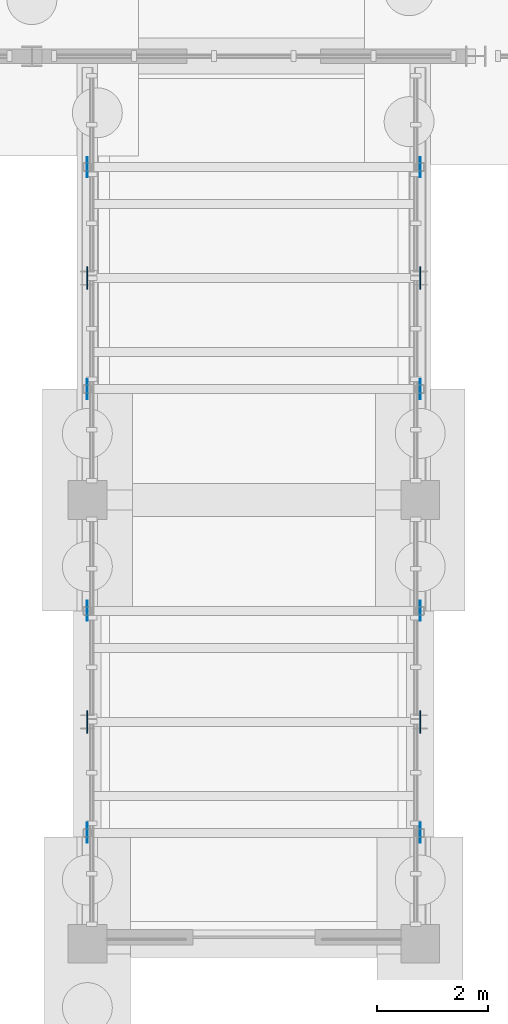
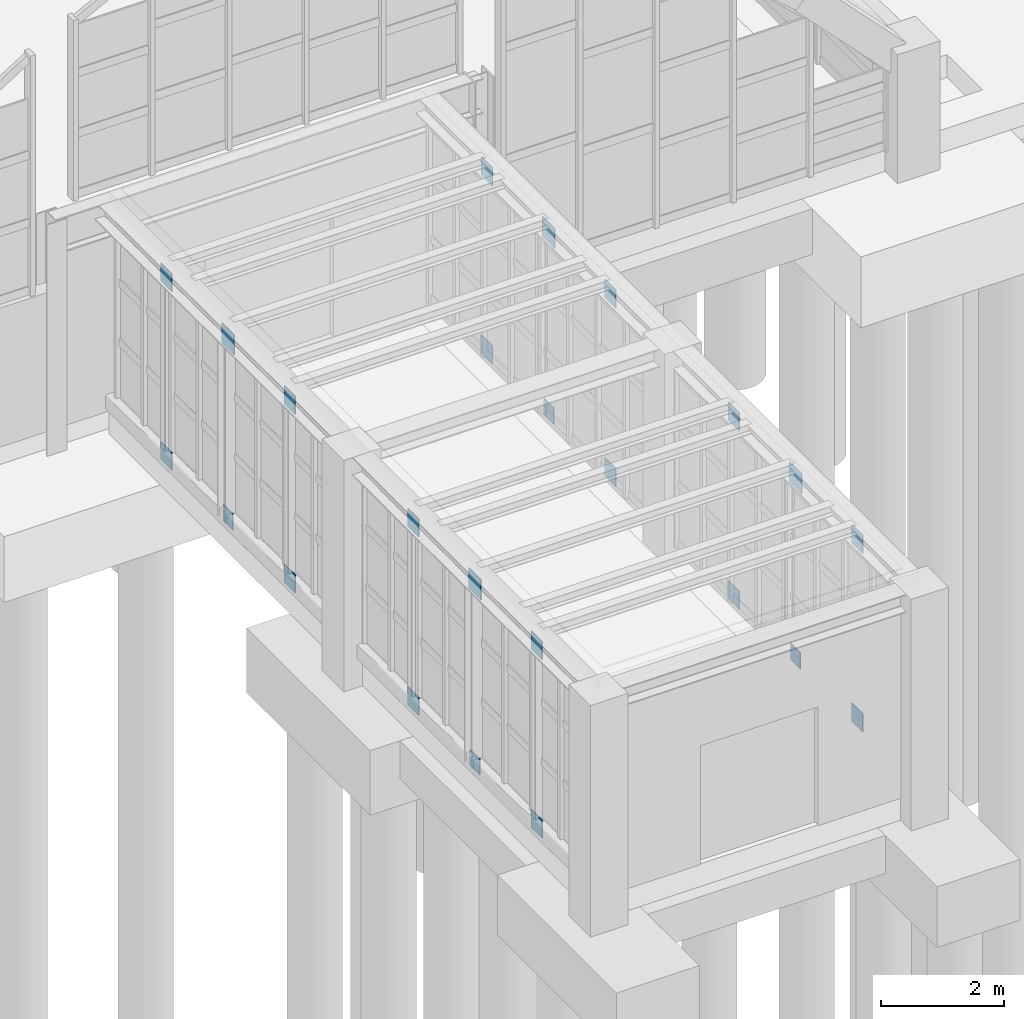
# One storey, part 93 of 129: 24 plates.
"""IFC4 building model written with IfcOpenShell, lengths in metres."""

from ifc_helpers import new_model, si_unit, direction, frame, origin, origin_2d, place, context, subcontext, project, spatial, rectangle, extrude, material, layer, layer_set, type_object, element, save


model = new_model("IFC4")

# Units and contexts
model_context = context("Model", 3, precision=1e-05, world=origin(), true_north=direction((0.0, 1.0)))
body_context = subcontext(model_context, "Body", "Model", "MODEL_VIEW")
ifc_project = project(units=[si_unit("LENGTHUNIT", "METRE"), si_unit("AREAUNIT", "SQUARE_METRE"), si_unit("VOLUMEUNIT", "CUBIC_METRE"), si_unit("PLANEANGLEUNIT", "RADIAN"), si_unit("MASSUNIT", "GRAM", prefix="KILO")], contexts=[model_context])

# Site, building, storey
site_placement = place(None, origin())
site = spatial("IfcSite", under=ifc_project, at=site_placement, CompositionType="ELEMENT")
building_placement = place(site_placement, origin())
building = spatial("IfcBuilding", under=site, at=building_placement, Name="Sitalva Quay Ferry Terminal", CompositionType="ELEMENT")
storey_placement = place(building_placement, origin())
storey = spatial("IfcBuildingStorey", under=building, at=storey_placement, Name="L01", CompositionType="ELEMENT", Elevation=0.0)

# Plates
ifc_material_1 = material(Name="Structural Steel S355JR", Category="steel")
ifc_layer_1 = layer(ifc_material_1, 0.01611328125)
ifc_layer_set_1 = layer_set([ifc_layer_1], Name="Structural Steel S355JR")
plate_type_1 = type_object("IfcPlateType", Name="Gusset_360x360x16", PredefinedType="USERDEFINED", material=ifc_layer_set_1)
for number, where, z_axis, x_axis, name in (
    (1, (17.0, -8.0, 0.06982421875), (0.0, 0.0, 1.0), (1.0, 0.0, 0.0), "Boarding bridge BB1 Vierendeel gusset W1A-BOT"),
    (2, (17.0, -8.0, 3.60009765625), (0.0, 0.0, 1.0), (1.0, 0.0, 0.0), "Boarding bridge BB1 Vierendeel gusset W1A-TOP"),
    (3, (17.0, -4.0, 0.06982421875), (0.0, 0.0, 1.0), (1.0, 0.0, 0.0), "Boarding bridge BB1 Vierendeel gusset W1B-BOT"),
    (4, (17.0, -4.0, 3.60009765625), (0.0, 0.0, 1.0), (1.0, 0.0, 0.0), "Boarding bridge BB1 Vierendeel gusset W1B-TOP"),
    (5, (17.0, 0.0, 0.06982421875), (0.0, 0.0, 1.0), (1.0, 0.0, 0.0), "Boarding bridge BB1 Vierendeel gusset W2A-BOT"),
    (6, (17.0, 0.0, 3.60009765625), (0.0, 0.0, 1.0), (1.0, 0.0, 0.0), "Boarding bridge BB1 Vierendeel gusset W2A-TOP"),
    (7, (17.0, 4.0, 0.06982421875), (0.0, 0.0, 1.0), (1.0, 0.0, 0.0), "Boarding bridge BB1 Vierendeel gusset W2B-BOT"),
    (8, (17.0, 4.0, 3.60009765625), (0.0, 0.0, 1.0), (1.0, 0.0, 0.0), "Boarding bridge BB1 Vierendeel gusset W2B-TOP"),
    (9, (23.0, -8.0, 0.06982421875), (0.0, 0.0, 1.0), (1.0, 0.0, 0.0), "Boarding bridge BB1 Vierendeel gusset E1A-BOT"),
    (10, (23.0, -8.0, 3.60009765625), (0.0, 0.0, 1.0), (1.0, 0.0, 0.0), "Boarding bridge BB1 Vierendeel gusset E1A-TOP"),
    (11, (23.0, -4.0, 0.06982421875), (0.0, 0.0, 1.0), (1.0, 0.0, 0.0), "Boarding bridge BB1 Vierendeel gusset E1B-BOT"),
    (12, (23.0, -4.0, 3.60009765625), (0.0, 0.0, 1.0), (1.0, 0.0, 0.0), "Boarding bridge BB1 Vierendeel gusset E1B-TOP"),
    (13, (23.0, 0.0, 0.06982421875), (0.0, 0.0, 1.0), (1.0, 0.0, 0.0), "Boarding bridge BB1 Vierendeel gusset E2A-BOT"),
    (14, (23.0, 0.0, 3.60009765625), (0.0, 0.0, 1.0), (1.0, 0.0, 0.0), "Boarding bridge BB1 Vierendeel gusset E2A-TOP"),
    (15, (23.0, 4.0, 0.06982421875), (0.0, 0.0, 1.0), (1.0, 0.0, 0.0), "Boarding bridge BB1 Vierendeel gusset E2B-BOT"),
    (16, (23.0, 4.0, 3.60009765625), (0.0, 0.0, 1.0), (1.0, 0.0, 0.0), "Boarding bridge BB1 Vierendeel gusset E2B-TOP"),
):
    element("IfcPlate", number, at=place(storey_placement, frame(where, z_axis=z_axis, x_axis=x_axis)), inside=storey, type_object=plate_type_1, Name=name, ObjectType="FLANGE_PLATE", PredefinedType="USERDEFINED", context=body_context, shape_type="SweptSolid", body=[
        extrude(rectangle(XDim=0.01611328125, YDim=0.360107421875, at=origin_2d()), origin(), (0.0, 0.0, 1.0), 0.360107421875),
    ])
ifc_material_2 = material(Name="Structural Steel S355JR", Category="steel")
ifc_layer_2 = layer(ifc_material_2, 0.02001953125)
ifc_layer_set_2 = layer_set([ifc_layer_2], Name="Structural Steel S355JR")
plate_type_2 = type_object("IfcPlateType", Name="Gusset_400x400x20", PredefinedType="USERDEFINED", material=ifc_layer_set_2)
for number, where, z_axis, x_axis, name in (
    (17, (17.0, -6.0, 3.580078125), (0.0, 0.0, 1.0), (1.0, 0.0, 0.0), "Boarding bridge BB1 apex gusset plate 005"),
    (18, (17.0, 2.0, 3.580078125), (0.0, 0.0, 1.0), (1.0, 0.0, 0.0), "Boarding bridge BB1 apex gusset plate 011"),
    (19, (23.0, -6.0, 3.580078125), (0.0, 0.0, 1.0), (1.0, 0.0, 0.0), "Boarding bridge BB1 apex gusset plate 017"),
    (20, (23.0, 2.0, 3.580078125), (0.0, 0.0, 1.0), (1.0, 0.0, 0.0), "Boarding bridge BB1 apex gusset plate 023"),
):
    element("IfcPlate", number, at=place(storey_placement, frame(where, z_axis=z_axis, x_axis=x_axis)), inside=storey, type_object=plate_type_2, Name=name, ObjectType="FLANGE_PLATE", PredefinedType="USERDEFINED", context=body_context, shape_type="SweptSolid", body=[
        extrude(rectangle(XDim=0.02001953125, YDim=0.39990234375, at=origin_2d()), origin(), (0.0, 0.0, 1.0), 0.39990234375),
    ])
ifc_material_3 = material(Name="Structural Steel S355JR", Category="steel")
ifc_layer_3 = layer(ifc_material_3, 0.01806640625)
ifc_layer_set_3 = layer_set([ifc_layer_3], Name="Structural Steel S355JR")
plate_type_3 = type_object("IfcPlateType", Name="Stiffener_320x320x18", PredefinedType="USERDEFINED", material=ifc_layer_set_3)
for number, where, z_axis, x_axis, name in (
    (21, (17.0, -6.0, 0.08984375), (0.0, 0.0, 1.0), (1.0, 0.0, 0.0), "Boarding bridge BB1 chord stiffener 006"),
    (22, (17.0, 2.0, 0.08984375), (0.0, 0.0, 1.0), (1.0, 0.0, 0.0), "Boarding bridge BB1 chord stiffener 012"),
    (23, (23.0, -6.0, 0.08984375), (0.0, 0.0, 1.0), (1.0, 0.0, 0.0), "Boarding bridge BB1 chord stiffener 018"),
    (24, (23.0, 2.0, 0.08984375), (0.0, 0.0, 1.0), (1.0, 0.0, 0.0), "Boarding bridge BB1 chord stiffener 024"),
):
    element("IfcPlate", number, at=place(storey_placement, frame(where, z_axis=z_axis, x_axis=x_axis)), inside=storey, type_object=plate_type_3, Name=name, ObjectType="STIFFENER_PLATE", PredefinedType="USERDEFINED", context=body_context, shape_type="SweptSolid", body=[
        extrude(rectangle(XDim=0.01806640625, YDim=0.320068359375, at=origin_2d()), origin(), (0.0, 0.0, 1.0), 0.320068359375),
    ])

save(model, "model.ifc")
